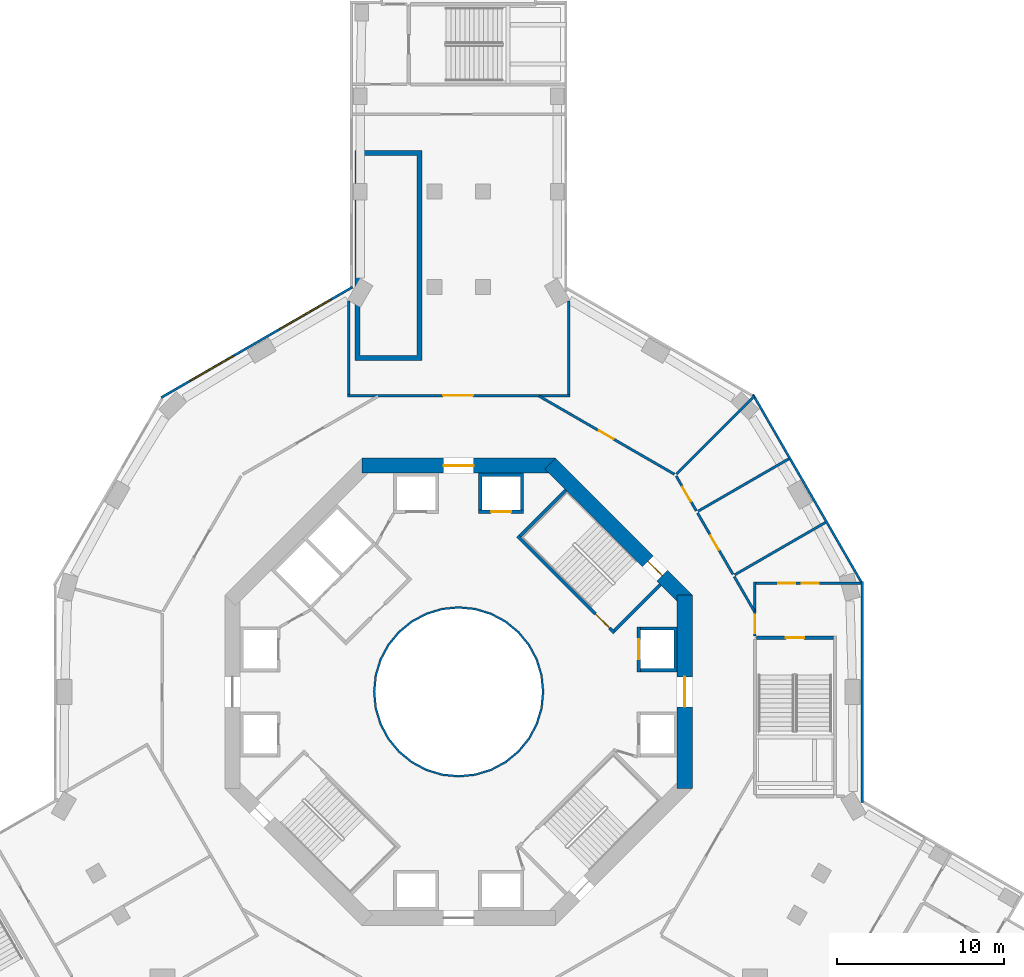
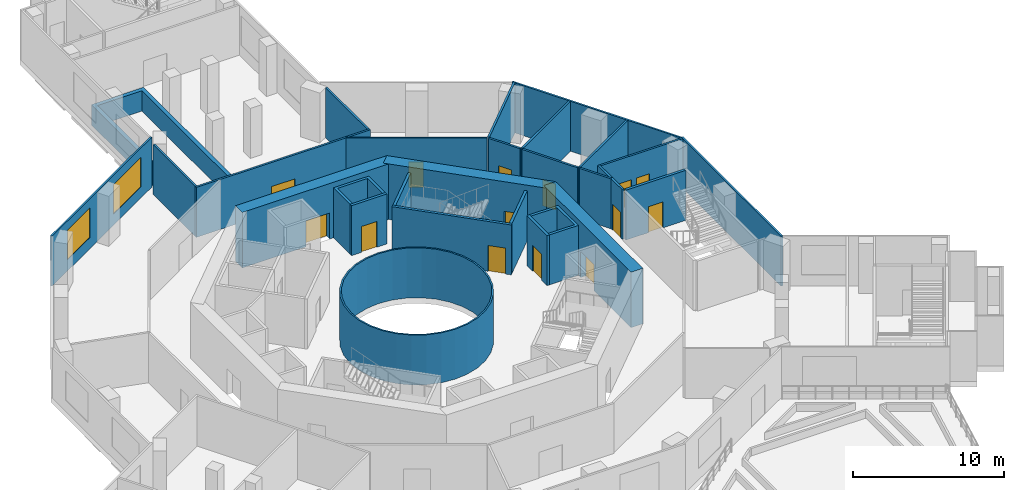
# One storey, part 6 of 21: 28 walls, 14 doors, 2 windows, 16 openings.
"""IFC4 building model written with IfcOpenShell, lengths in metres."""

import ifcopenshell
import ifcopenshell.guid

model = None  # the IFC model being written
_history = None  # IfcOwnerHistory: only IFC2X3 demands one
_inside = {}  # id of a spatial element -> (the spatial element, [elements in it])
_under = {}  # id of a project, library or spatial element -> (it, [spatial elements below it])
_declared = {}  # id of a project -> (the project, [libraries it declares])
_typed = {}  # id of a type object -> (the type object, [elements of that type])
_made_of = {}  # id of a material, layer set ... -> (it, [elements and type objects made of it])


def new_model(schema):
    """Start an empty IFC model of exactly this schema.

    Asked for "IFC4X3", IfcOpenShell would pick the latest addendum, in which some entities
    have other attributes; the version numbers below select the first issue.
    IFC2X3 requires an IfcOwnerHistory on every rooted entity: one is made here for all.
    """
    global model, _history
    if schema == "IFC4X3":
        model = ifcopenshell.file(schema_version=(4, 3, 0, 0))
    else:
        model = ifcopenshell.file(schema=schema)
    _inside.clear()
    _under.clear()
    _declared.clear()
    _typed.clear()
    _made_of.clear()
    _history = None
    if model.schema == "IFC2X3":
        org = make("IfcOrganization", Name="unknown")
        user = make(
            "IfcPersonAndOrganization",
            ThePerson=make("IfcPerson", FamilyName="unknown"),
            TheOrganization=org,
        )
        app = make(
            "IfcApplication",
            ApplicationDeveloper=org,
            Version="unknown",
            ApplicationFullName="unknown",
            ApplicationIdentifier="unknown",
        )
        _history = make(
            "IfcOwnerHistory",
            OwningUser=user,
            OwningApplication=app,
            ChangeAction="ADDED",
            CreationDate=0,
        )
    return model


def make(cls, **values):
    """One entity of the class cls with the attributes given. An attribute that is None is left unset."""
    return model.create_entity(
        cls, **{name: value for name, value in values.items() if value is not None}
    )


def rooted(cls, **values):
    """An entity with a GlobalId (a new one), such as an element, a storey or a relation."""
    return make(cls, GlobalId=ifcopenshell.guid.new(), OwnerHistory=_history, **values)


def si_unit(unit_type, name, prefix=None):
    """IfcSIUnit, for example si_unit("LENGTHUNIT", "METRE", prefix="MILLI")."""
    return make("IfcSIUnit", UnitType=unit_type, Prefix=prefix, Name=name)


def assignment(units):
    """IfcUnitAssignment: the units of a project."""
    return None if units is None else make("IfcUnitAssignment", Units=units)


def point(xyz):
    """IfcCartesianPoint."""
    return None if xyz is None else make("IfcCartesianPoint", Coordinates=xyz)


def direction(xyz):
    """IfcDirection."""
    return None if xyz is None else make("IfcDirection", DirectionRatios=xyz)


def frame(location, z_axis=None, x_axis=None):
    """IfcAxis2Placement3D, a coordinate frame: its origin and axes. An axis left out is left unset."""
    return make(
        "IfcAxis2Placement3D",
        Location=point(location),
        Axis=direction(z_axis),
        RefDirection=direction(x_axis),
    )


def frame_2d(location, x_axis=None):
    """IfcAxis2Placement2D, a coordinate frame in the plane: its origin and x axis."""
    return make(
        "IfcAxis2Placement2D", Location=point(location), RefDirection=direction(x_axis)
    )


def origin():
    """The frame at (0, 0, 0) with its axes left unset."""
    return frame((0.0, 0.0, 0.0))


def place(relative_to, where):
    """IfcLocalPlacement: puts the frame where relative to a parent placement (None: the world)."""
    return make(
        "IfcLocalPlacement", PlacementRelTo=relative_to, RelativePlacement=where
    )


def context(
    kind, dimensions, precision=None, world=None, true_north=None, identifier=None
):
    """IfcGeometricRepresentationContext, for example the 3D "Model" context."""
    return make(
        "IfcGeometricRepresentationContext",
        ContextIdentifier=identifier,
        ContextType=kind,
        CoordinateSpaceDimension=dimensions,
        Precision=precision,
        WorldCoordinateSystem=world,
        TrueNorth=true_north,
    )


def subcontext(parent, identifier, kind, view, scale=None):
    """IfcGeometricRepresentationSubContext, for example "Body" below "Model"."""
    return make(
        "IfcGeometricRepresentationSubContext",
        ContextIdentifier=identifier,
        ContextType=kind,
        ParentContext=parent,
        TargetScale=scale,
        TargetView=view,
    )


def project(units=None, contexts=None):
    """IfcProject with its units and contexts."""
    return rooted(
        "IfcProject",
        Name="project",
        RepresentationContexts=contexts,
        UnitsInContext=assignment(units),
    )


def spatial(cls, under=None, at=None, **own):
    """A site, building, storey or space (cls), placed at a placement, below another one or the project."""
    s = rooted(cls, ObjectPlacement=at, **own)
    if under is not None:
        _under.setdefault(under.id(), (under, []))[1].append(s)
    return s


def polyline(points):
    """IfcPolyline through the points."""
    return make("IfcPolyline", Points=[point(p) for p in points])


def profile(cls, at=None, kind="AREA", **sizes):
    """A parametric profile (cls). Its sizes go by their IFC names, for example OverallWidth=200.0."""
    return make(cls, ProfileType=kind, Position=at, **sizes)


def rectangle(**sizes):
    """IfcRectangleProfileDef."""
    return profile("IfcRectangleProfileDef", **sizes)


def outline(outer, holes=None, kind="AREA"):
    """IfcArbitraryClosedProfileDef: a profile drawn as a closed curve; with holes, ...WithVoids."""
    if holes is None:
        return make("IfcArbitraryClosedProfileDef", ProfileType=kind, OuterCurve=outer)
    return make(
        "IfcArbitraryProfileDefWithVoids",
        ProfileType=kind,
        OuterCurve=outer,
        InnerCurves=holes,
    )


def extrude(swept, where, along, depth):
    """IfcExtrudedAreaSolid: the profile swept, set in the frame where, extruded along a direction by depth."""
    return make(
        "IfcExtrudedAreaSolid",
        SweptArea=swept,
        Position=where,
        ExtrudedDirection=direction(along),
        Depth=depth,
    )


def shape(context_of_items, identifier, shape_type, items):
    """IfcShapeRepresentation: the items that make up one representation, for example the "Body"."""
    return make(
        "IfcShapeRepresentation",
        ContextOfItems=context_of_items,
        RepresentationIdentifier=identifier,
        RepresentationType=shape_type,
        Items=items,
    )


def material(Name=None, Category=None):
    """IfcMaterial."""
    return make("IfcMaterial", Name=Name, Category=Category)


def layer(
    of_material, thickness, ventilated=None, Name=None, Category=None, Priority=None
):
    """IfcMaterialLayer: one layer of a wall or slab, of a material (None: an air gap)."""
    return make(
        "IfcMaterialLayer",
        Material=of_material,
        LayerThickness=thickness,
        IsVentilated=ventilated,
        Name=Name,
        Category=Category,
        Priority=Priority,
    )


def layer_set(layers, Name=None):
    """IfcMaterialLayerSet."""
    return make("IfcMaterialLayerSet", MaterialLayers=layers, LayerSetName=Name)


def made_of(thing, what):
    """Note that an element or type object is made of a material, layer set ...; save() writes the relation."""
    if what is not None:
        _made_of.setdefault(what.id(), (what, []))[1].append(thing)
    return thing


def type_object(cls, material=None, **own):
    """A type object (cls), such as IfcWallType, which elements share."""
    return made_of(rooted(cls, **own), material)


def element(
    cls,
    number,
    at=None,
    inside=None,
    cuts=None,
    type_object=None,
    material=None,
    context=None,
    identifier="Body",
    shape_type=None,
    held_by="IfcProductDefinitionShape",
    body=None,
    shapes=None,
    **own,
):
    """One element of the class cls, such as IfcWall. Its Tag is "e" and its number.

    at: its placement. inside: the storey or other place that contains it. cuts: it is an
    opening in that element (IfcRelVoidsElement). A single representation is given by context,
    identifier, shape_type and body (its items); several are given by shapes. held_by: the class
    of the entity that holds the representations. save() writes the other relations.
    """
    e = rooted(cls, Tag="e%d" % number, ObjectPlacement=at, **own)
    if body is not None:
        shapes = [shape(context, identifier, shape_type, body)]
    if shapes is not None:
        e.Representation = make(held_by, Representations=shapes)
    if inside is not None:
        _inside.setdefault(inside.id(), (inside, []))[1].append(e)
    if cuts is not None:
        rooted(
            "IfcRelVoidsElement", RelatingBuildingElement=cuts, RelatedOpeningElement=e
        )
    if type_object is not None:
        _typed.setdefault(type_object.id(), (type_object, []))[1].append(e)
    return made_of(e, material)


def fill(opening, filler):
    """IfcRelFillsElement: the door or window that sits in an opening."""
    return rooted(
        "IfcRelFillsElement",
        RelatingOpeningElement=opening,
        RelatedBuildingElement=filler,
    )


def aggregate(whole, parts):
    """IfcRelAggregates: a whole, such as a stair, and the parts it consists of."""
    return rooted("IfcRelAggregates", RelatingObject=whole, RelatedObjects=parts)


def save(model, path):
    """Write the relations noted so far, then the file.

    IfcRelAggregates (storeys below a building ...), IfcRelContainedInSpatialStructure (elements
    in a storey), IfcRelDefinesByType, IfcRelAssociatesMaterial and IfcRelDeclares: one each for
    every whole, place, type object, material and project.
    """
    for whole, parts in _under.values():
        aggregate(whole, parts)
    for where, things in _inside.values():
        rooted(
            "IfcRelContainedInSpatialStructure",
            RelatedElements=things,
            RelatingStructure=where,
        )
    for kind, things in _typed.values():
        rooted("IfcRelDefinesByType", RelatedObjects=things, RelatingType=kind)
    for what, things in _made_of.values():
        rooted("IfcRelAssociatesMaterial", RelatedObjects=things, RelatingMaterial=what)
    for by, libraries in _declared.values():
        rooted("IfcRelDeclares", RelatingContext=by, RelatedDefinitions=libraries)
    model.write(path)


model = new_model("IFC4")

# Units and contexts
model_context = context("Model", 3, precision=1e-05, world=origin(), true_north=direction((0.0, 1.0)))
body_context = subcontext(model_context, "Body", "Model", "MODEL_VIEW")
ifc_project = project(units=[si_unit("LENGTHUNIT", "METRE"), si_unit("AREAUNIT", "SQUARE_METRE"), si_unit("VOLUMEUNIT", "CUBIC_METRE"), si_unit("PLANEANGLEUNIT", "RADIAN"), si_unit("MASSUNIT", "GRAM", prefix="KILO")], contexts=[model_context])

# Site, building, storey
site_placement = place(None, origin())
site = spatial("IfcSite", under=ifc_project, at=site_placement, CompositionType="ELEMENT")
building_placement = place(site_placement, origin())
building = spatial("IfcBuilding", under=site, at=building_placement, Name="Verdalira Terraces Hotel", CompositionType="ELEMENT")
storey_placement = place(building_placement, frame((0.0, 0.0, 19.0)))
storey = spatial("IfcBuildingStorey", under=building, at=storey_placement, Name="L03", CompositionType="ELEMENT", Elevation=19.0)

# Walls
ifc_material_1 = material(Name="Fire-resisting glass EI 180", Category="glass")
ifc_layer_1 = layer(ifc_material_1, 0.1201171875)
ifc_layer_set_1 = layer_set([ifc_layer_1], Name="Atrium fire screen 120 mm")
wall_type_1 = type_object("IfcWallType", Name="Atrium fire screen 120 mm", PredefinedType="SOLIDWALL", material=ifc_layer_set_1)
wall_1_placement = place(storey_placement, origin())
element("IfcWall", 1, at=wall_1_placement, inside=storey, type_object=wall_type_1, Name="Atrium fire screen", PredefinedType="SOLIDWALL", context=body_context, shape_type="SweptSolid", body=[
    extrude(outline(polyline([(5.021484, -0.998779), (4.730225, -1.959229), (4.25708, -2.844482), (3.620361, -3.620361), (2.844482, -4.25708), (1.959229, -4.730225), (0.998779, -5.021484), (0.0, -5.120117), (-0.998779, -5.021484), (-1.959229, -4.730225), (-2.844482, -4.25708), (-3.620361, -3.620361), (-4.25708, -2.844482), (-4.730225, -1.959229), (-5.021484, -0.998779), (-5.120117, 0.0), (-5.021484, 0.998779), (-4.730225, 1.959229), (-4.25708, 2.844482), (-3.620361, 3.620361), (-2.844482, 4.25708), (-1.959229, 4.730225), (-0.998779, 5.021484), (0.0, 5.120117), (0.998779, 5.021484), (1.959229, 4.730225), (2.844482, 4.25708), (3.620361, 3.620361), (4.25708, 2.844482), (4.730225, 1.959229), (5.021484, 0.998779), (5.120117, 0.0), (5.021484, -0.998779)]), holes=[polyline([(4.903809, 0.975586), (4.619385, 1.91333), (4.157227, 2.777832), (3.5354, 3.5354), (2.777832, 4.157227), (1.91333, 4.619385), (0.975586, 4.903809), (0.0, 5.0), (-0.975586, 4.903809), (-1.91333, 4.619385), (-2.777832, 4.157227), (-3.5354, 3.5354), (-4.157227, 2.777832), (-4.619385, 1.91333), (-4.903809, 0.975586), (-5.0, 0.0), (-4.903809, -0.975586), (-4.619385, -1.91333), (-4.157227, -2.777832), (-3.5354, -3.5354), (-2.777832, -4.157227), (-1.91333, -4.619385), (-0.975586, -4.903809), (0.0, -5.0), (0.975586, -4.903809), (1.91333, -4.619385), (2.777832, -4.157227), (3.5354, -3.5354), (4.157227, -2.777832), (4.619385, -1.91333), (4.903809, -0.975586), (5.0, 0.0), (4.903809, 0.975586)])]), origin(), (0.0, 0.0, 1.0), 4.050049),
])
ifc_material_2 = material(Name="Concrete C50", Category="concrete")
ifc_layer_2 = layer(ifc_material_2, 0.199951171875)
ifc_layer_set_2 = layer_set([ifc_layer_2], Name="Core RC wall 200 C50")
wall_type_2 = type_object("IfcWallType", Name="Core RC wall 200 C50", PredefinedType="SOLIDWALL", material=ifc_layer_set_2)
wall_2_placement = place(storey_placement, origin())
element("IfcWall", 2, at=wall_2_placement, inside=storey, type_object=wall_type_2, Name="L03 shaft wall E2", PredefinedType="SOLIDWALL", context=body_context, shape_type="SweptSolid", body=[
    extrude(outline(polyline([(13.100098, 3.899902), (13.100098, 1.199951), (10.899902, 1.199951), (10.899902, 1.399902), (12.899902, 1.399902), (12.899902, 3.699951), (10.899902, 3.699951), (10.899902, 3.899902), (13.100098, 3.899902)])), origin(), (0.0, 0.0, 1.0), 4.050049),
])

# Wall, opening, door
wall_3_placement = place(storey_placement, frame((10.800049, 1.199951, 0.0), z_axis=(0.0, 0.0, 1.0), x_axis=(0.0, 1.0, 0.0)))
wall_3 = element("IfcWall", 3, at=wall_3_placement, inside=storey, type_object=wall_type_2, Name="L03 shaft front wall E2", PredefinedType="SOLIDWALL", context=body_context, shape_type="SweptSolid", body=[
    extrude(rectangle(XDim=2.699951, YDim=0.199951, at=frame_2d((1.350098, 0.0))), origin(), (0.0, 0.0, 1.0), 4.050049),
])
opening_1_placement = place(wall_3_placement, frame((0.75, 0.0, 0.0)))
opening_1 = element("IfcOpeningElement", 4, at=opening_1_placement, cuts=wall_3, Name="Opening LD-L03-802", PredefinedType="OPENING", context=body_context, shape_type="SweptSolid", body=[
    extrude(rectangle(XDim=1.199951, YDim=2.100098, at=frame_2d((0.600098, 1.050049))), frame((0.0, 0.109863, 0.0), z_axis=(0.0, -1.0, 0.0), x_axis=(1.0, 0.0, 0.0)), (0.0, 0.0, 1.0), 0.219971),
])
ifc_material_3 = material(Name="Stainless steel", Category="steel")
door_type_1 = type_object("IfcDoorType", Name="Landing door 1200 x 2100", OperationType="NOTDEFINED", PredefinedType="DOOR", material=ifc_material_3)
door_1_placement = place(opening_1_placement, origin())
door_1 = element("IfcDoor", 5, at=door_1_placement, inside=storey, type_object=door_type_1, Name="Lift landing door LR2 L03", OperationType="DOUBLE_DOOR_SLIDING", OverallHeight=2.10009765625, OverallWidth=1.199951171875, PredefinedType="DOOR", context=body_context, shape_type="SweptSolid", body=[
    extrude(rectangle(XDim=1.199951, YDim=2.100098, at=frame_2d((0.600098, 1.050049))), frame((0.0, 0.024902, 0.0), z_axis=(0.0, -1.0, 0.0), x_axis=(1.0, 0.0, 0.0)), (0.0, 0.0, 1.0), 0.050049),
])
fill(opening_1, door_1)

# Wall
wall_4_placement = place(storey_placement, origin())
element("IfcWall", 6, at=wall_4_placement, inside=storey, type_object=wall_type_2, Name="L03 shaft wall N1", PredefinedType="SOLIDWALL", context=body_context, shape_type="SweptSolid", body=[
    extrude(outline(polyline([(3.899902, 13.100098), (3.899902, 10.899902), (3.699951, 10.899902), (3.699951, 12.899902), (1.399902, 12.899902), (1.399902, 10.899902), (1.199951, 10.899902), (1.199951, 13.100098), (3.899902, 13.100098)])), origin(), (0.0, 0.0, 1.0), 4.050049),
])

# Wall, opening, door
wall_5_placement = place(storey_placement, frame((1.199951, 10.800049, 0.0), z_axis=(0.0, 0.0, 1.0), x_axis=(1.0, 0.0, 0.0)))
wall_5 = element("IfcWall", 7, at=wall_5_placement, inside=storey, type_object=wall_type_2, Name="L03 shaft front wall N1", PredefinedType="SOLIDWALL", context=body_context, shape_type="SweptSolid", body=[
    extrude(rectangle(XDim=2.699951, YDim=0.199951, at=frame_2d((1.350098, 0.0))), origin(), (0.0, 0.0, 1.0), 4.050049),
])
opening_2_placement = place(wall_5_placement, frame((0.75, 0.0, 0.0)))
opening_2 = element("IfcOpeningElement", 8, at=opening_2_placement, cuts=wall_5, Name="Opening LD-L03-803", PredefinedType="OPENING", context=body_context, shape_type="SweptSolid", body=[
    extrude(rectangle(XDim=1.199951, YDim=2.100098, at=frame_2d((0.600098, 1.050049))), frame((0.0, 0.109863, 0.0), z_axis=(0.0, -1.0, 0.0), x_axis=(1.0, 0.0, 0.0)), (0.0, 0.0, 1.0), 0.219971),
])
door_2_placement = place(opening_2_placement, origin())
door_2 = element("IfcDoor", 9, at=door_2_placement, inside=storey, type_object=door_type_1, Name="Lift landing door LR3 L03", OperationType="DOUBLE_DOOR_SLIDING", OverallHeight=2.10009765625, OverallWidth=1.199951171875, PredefinedType="DOOR", context=body_context, shape_type="SweptSolid", body=[
    extrude(rectangle(XDim=1.199951, YDim=2.100098, at=frame_2d((0.600098, 1.050049))), frame((0.0, 0.024902, 0.0), z_axis=(0.0, -1.0, 0.0), x_axis=(1.0, 0.0, 0.0)), (0.0, 0.0, 1.0), 0.050049),
])
fill(opening_2, door_2)

wall_6_placement = place(storey_placement, frame((3.5354, 9.33374, 0.0), z_axis=(0.0, 0.0, 1.0), x_axis=(0.707106781, -0.707106781, 0.0)))
wall_6 = element("IfcWall", 10, at=wall_6_placement, inside=storey, type_object=wall_type_2, Name="L03 stair ST1 front wall", PredefinedType="SOLIDWALL", context=body_context, shape_type="SweptSolid", body=[
    extrude(rectangle(XDim=8.200195, YDim=0.199951, at=frame_2d((4.100098, 0.0))), origin(), (0.0, 0.0, 1.0), 4.050049),
])
opening_3_placement = place(wall_6_placement, frame((6.600098, 0.0, 0.0)))
opening_3 = element("IfcOpeningElement", 11, at=opening_3_placement, cuts=wall_6, Name="Opening L03-809", PredefinedType="OPENING", context=body_context, shape_type="SweptSolid", body=[
    extrude(rectangle(XDim=1.199951, YDim=2.100098, at=frame_2d((0.600098, 1.050049))), frame((0.0, 0.109863, 0.0), z_axis=(0.0, -1.0, 0.0), x_axis=(1.0, 0.0, 0.0)), (0.0, 0.0, 1.0), 0.219971),
])
ifc_material_4 = material(Name="Steel fire door", Category="steel")
door_type_2 = type_object("IfcDoorType", Name="Stair door 1200 x 2100", OperationType="NOTDEFINED", PredefinedType="DOOR", material=ifc_material_4)
door_3_placement = place(opening_3_placement, origin())
door_3 = element("IfcDoor", 12, at=door_3_placement, inside=storey, type_object=door_type_2, Name="Stair door ST1 L03", OperationType="SINGLE_SWING_RIGHT", OverallHeight=2.10009765625, OverallWidth=1.199951171875, PredefinedType="DOOR", context=body_context, shape_type="SweptSolid", body=[
    extrude(rectangle(XDim=1.199951, YDim=2.100098, at=frame_2d((0.600098, 1.050049))), frame((0.0, 0.024902, 0.0), z_axis=(0.0, -1.0, 0.0), x_axis=(1.0, 0.0, 0.0)), (0.0, 0.0, 1.0), 0.050049),
])
fill(opening_3, door_3)

# Walls
for number, where, z_axis, x_axis, name in (
    (13, (9.33374, 3.677002, 0.0), (0.0, 0.0, 1.0), (0.707106781, 0.707106781, 0.0), "L03 stair ST1 end wall 1"),
    (14, (3.677002, 9.33374, 0.0), (0.0, 0.0, 1.0), (0.707106781, 0.707106781, 0.0), "L03 stair ST1 end wall 2"),
):
    element("IfcWall", number, at=place(storey_placement, frame(where, z_axis=z_axis, x_axis=x_axis)), inside=storey, type_object=wall_type_2, Name=name, PredefinedType="SOLIDWALL", context=body_context, shape_type="SweptSolid", body=[
        extrude(rectangle(XDim=3.900146, YDim=0.199951, at=frame_2d((1.950195, 0.0))), origin(), (0.0, 0.0, 1.0), 4.050049),
    ])

# Wall, opening, door
ifc_material_5 = material(Name="Concrete C70", Category="concrete")
ifc_layer_3 = layer(ifc_material_5, 0.89990234375)
ifc_layer_set_3 = layer_set([ifc_layer_3], Name="Core wall 900 C70")
wall_type_3 = type_object("IfcWallType", Name="Core wall 900 C70", PredefinedType="SHEAR", material=ifc_layer_set_3)
wall_7_placement = place(storey_placement, frame((13.550049, -5.799072, 0.0), z_axis=(0.0, 0.0, 1.0), x_axis=(0.0, 1.0, 0.0)))
wall_7 = element("IfcWall", 15, at=wall_7_placement, inside=storey, type_object=wall_type_3, Name="Core wall CW-L03-1", PredefinedType="SHEAR", context=body_context, shape_type="SweptSolid", body=[
    extrude(rectangle(XDim=11.598145, YDim=0.899902, at=frame_2d((5.799072, 0.0))), origin(), (0.0, 0.0, 1.0), 4.5),
])
opening_4_placement = place(wall_7_placement, frame((4.898926, 0.0, 0.0)))
opening_4 = element("IfcOpeningElement", 16, at=opening_4_placement, cuts=wall_7, Name="Opening L03-812", PredefinedType="OPENING", context=body_context, shape_type="SweptSolid", body=[
    extrude(rectangle(XDim=1.800049, YDim=2.100098, at=frame_2d((0.899902, 1.050049))), frame((0.0, 0.459961, 0.0), z_axis=(0.0, -1.0, 0.0), x_axis=(1.0, 0.0, 0.0)), (0.0, 0.0, 1.0), 0.919922),
])
ifc_material_6 = material(Name="Steel fire door", Category="steel")
door_type_3 = type_object("IfcDoorType", Name="Core entry door pair 1800 x 2100", OperationType="NOTDEFINED", PredefinedType="DOOR", material=ifc_material_6)
door_4_placement = place(opening_4_placement, origin())
door_4 = element("IfcDoor", 17, at=door_4_placement, inside=storey, type_object=door_type_3, Name="Core entry door L03 0", OperationType="DOUBLE_DOOR_SINGLE_SWING", OverallHeight=2.10009765625, OverallWidth=1.800048828125, PredefinedType="DOOR", context=body_context, shape_type="SweptSolid", body=[
    extrude(rectangle(XDim=1.800049, YDim=2.100098, at=frame_2d((0.899902, 1.050049))), frame((0.0, 0.024902, 0.0), z_axis=(0.0, -1.0, 0.0), x_axis=(1.0, 0.0, 0.0)), (0.0, 0.0, 1.0), 0.050049),
])
fill(opening_4, door_4)

wall_8_placement = place(storey_placement, frame((13.681885, 5.480713, 0.0), z_axis=(0.0, 0.0, 1.0), x_axis=(-0.707106781, 0.707106781, 0.0)))
wall_8 = element("IfcWall", 18, at=wall_8_placement, inside=storey, type_object=wall_type_3, Name="Core wall CW-L03-2", PredefinedType="SHEAR", context=body_context, shape_type="SweptSolid", body=[
    extrude(rectangle(XDim=11.598145, YDim=0.899902, at=frame_2d((5.799072, 0.0))), origin(), (0.0, 0.0, 1.0), 4.5),
])
opening_5_placement = place(wall_8_placement, frame((2.099121, 0.0, 0.0)))
opening_5 = element("IfcOpeningElement", 19, at=opening_5_placement, cuts=wall_8, Name="Opening L03-816", PredefinedType="OPENING", context=body_context, shape_type="SweptSolid", body=[
    extrude(rectangle(XDim=1.199951, YDim=2.100098, at=frame_2d((0.600098, 1.050049))), frame((0.0, 0.459961, 0.0), z_axis=(0.0, -1.0, 0.0), x_axis=(1.0, 0.0, 0.0)), (0.0, 0.0, 1.0), 0.919922),
])
door_5_placement = place(opening_5_placement, origin())
door_5 = element("IfcDoor", 20, at=door_5_placement, inside=storey, type_object=door_type_2, Name="Stair exit door ST1 L03", OperationType="SINGLE_SWING_LEFT", OverallHeight=2.10009765625, OverallWidth=1.199951171875, PredefinedType="DOOR", context=body_context, shape_type="SweptSolid", body=[
    extrude(rectangle(XDim=1.199951, YDim=2.100098, at=frame_2d((0.600098, 1.050049))), frame((0.0, 0.024902, 0.0), z_axis=(0.0, -1.0, 0.0), x_axis=(1.0, 0.0, 0.0)), (0.0, 0.0, 1.0), 0.050049),
])
fill(opening_5, door_5)

wall_9_placement = place(storey_placement, frame((5.799072, 13.550049, 0.0), z_axis=(0.0, 0.0, 1.0), x_axis=(-1.0, 0.0, 0.0)))
wall_9 = element("IfcWall", 21, at=wall_9_placement, inside=storey, type_object=wall_type_3, Name="Core wall CW-L03-3", PredefinedType="SHEAR", context=body_context, shape_type="SweptSolid", body=[
    extrude(rectangle(XDim=11.598145, YDim=0.899902, at=frame_2d((5.799072, 0.0))), origin(), (0.0, 0.0, 1.0), 4.5),
])
opening_6_placement = place(wall_9_placement, frame((4.898926, 0.0, 0.0)))
opening_6 = element("IfcOpeningElement", 22, at=opening_6_placement, cuts=wall_9, Name="Opening L03-813", PredefinedType="OPENING", context=body_context, shape_type="SweptSolid", body=[
    extrude(rectangle(XDim=1.800049, YDim=2.100098, at=frame_2d((0.899902, 1.050049))), frame((0.0, 0.459961, 0.0), z_axis=(0.0, -1.0, 0.0), x_axis=(1.0, 0.0, 0.0)), (0.0, 0.0, 1.0), 0.919922),
])
door_6_placement = place(opening_6_placement, origin())
door_6 = element("IfcDoor", 23, at=door_6_placement, inside=storey, type_object=door_type_3, Name="Core entry door L03 2", OperationType="DOUBLE_DOOR_SINGLE_SWING", OverallHeight=2.10009765625, OverallWidth=1.800048828125, PredefinedType="DOOR", context=body_context, shape_type="SweptSolid", body=[
    extrude(rectangle(XDim=1.800049, YDim=2.100098, at=frame_2d((0.899902, 1.050049))), frame((0.0, 0.024902, 0.0), z_axis=(0.0, -1.0, 0.0), x_axis=(1.0, 0.0, 0.0)), (0.0, 0.0, 1.0), 0.050049),
])
fill(opening_6, door_6)

ifc_material_7 = material(Name="Gypsum board partition on steel stud", Category="steel")
ifc_layer_4 = layer(ifc_material_7, 0.14990234375)
ifc_layer_set_4 = layer_set([ifc_layer_4], Name="Fire-rated partition 150 mm")
wall_type_4 = type_object("IfcWallType", Name="Fire-rated partition 150 mm", PredefinedType="PARTITIONING", material=ifc_layer_set_4)
wall_10_placement = place(storey_placement, frame((6.675049, 17.758301, 0.0), z_axis=(0.0, 0.0, 1.0), x_axis=(-1.0, 0.0, 0.0)))
wall_10 = element("IfcWall", 24, at=wall_10_placement, inside=storey, type_object=wall_type_4, Name="Partition", PredefinedType="PARTITIONING", context=body_context, shape_type="SweptSolid", body=[
    extrude(rectangle(XDim=13.350098, YDim=0.149902, at=frame_2d((6.675049, 0.0))), origin(), (0.0, 0.0, 1.0), 4.050049),
])
opening_7_placement = place(wall_10_placement, frame((5.800049, 0.0, 0.0)))
opening_7 = element("IfcOpeningElement", 25, at=opening_7_placement, cuts=wall_10, Name="Opening L03-D09", PredefinedType="OPENING", context=body_context, shape_type="SweptSolid", body=[
    extrude(rectangle(XDim=1.800049, YDim=2.100098, at=frame_2d((0.899902, 1.050049))), frame((0.0, 0.084961, 0.0), z_axis=(0.0, -1.0, 0.0), x_axis=(1.0, 0.0, 0.0)), (0.0, 0.0, 1.0), 0.169922),
])
ifc_material_8 = material(Name="Steel fire door", Category="steel")
door_type_4 = type_object("IfcDoorType", Name="Fire door pair 1800 x 2100", OperationType="DOUBLE_DOOR_SINGLE_SWING", PredefinedType="DOOR", material=ifc_material_8)
door_7_placement = place(opening_7_placement, origin())
door_7 = element("IfcDoor", 26, at=door_7_placement, inside=storey, type_object=door_type_4, Name="Ring corridor door", OperationType="DOUBLE_DOOR_SINGLE_SWING", OverallHeight=2.10009765625, OverallWidth=1.800048828125, PredefinedType="DOOR", context=body_context, shape_type="SweptSolid", body=[
    extrude(rectangle(XDim=1.800049, YDim=2.100098, at=frame_2d((0.899902, 1.050049))), frame((0.0, 0.024902, 0.0), z_axis=(0.0, -1.0, 0.0), x_axis=(1.0, 0.0, 0.0)), (0.0, 0.0, 1.0), 0.050049),
])
fill(opening_7, door_7)

# Wall
wall_11_placement = place(storey_placement, frame((-6.600098, 23.415283, 0.0), z_axis=(0.0, 0.0, 1.0), x_axis=(0.0, -1.0, 0.0)))
element("IfcWall", 27, at=wall_11_placement, inside=storey, type_object=wall_type_4, Name="Partition", PredefinedType="PARTITIONING", context=body_context, shape_type="SweptSolid", body=[
    extrude(rectangle(XDim=5.582031, YDim=0.149902, at=frame_2d((2.791016, 0.0))), origin(), (0.0, 0.0, 1.0), 4.050049),
])

# Wall, opening, door
wall_12_placement = place(storey_placement, frame((4.823242, 17.720703, 0.0), z_axis=(0.0, 0.0, 1.0), x_axis=(0.866037142, -0.499979668, 0.0)))
wall_12 = element("IfcWall", 28, at=wall_12_placement, inside=storey, type_object=wall_type_4, Name="Partition", PredefinedType="PARTITIONING", context=body_context, shape_type="SweptSolid", body=[
    extrude(rectangle(XDim=9.366699, YDim=0.149902, at=frame_2d((4.68335, 0.0))), origin(), (0.0, 0.0, 1.0), 4.050049),
])
opening_8_placement = place(wall_12_placement, frame((4.149902, 0.0, 0.0)))
opening_8 = element("IfcOpeningElement", 29, at=opening_8_placement, cuts=wall_12, Name="Opening L03-D16", PredefinedType="OPENING", context=body_context, shape_type="SweptSolid", body=[
    extrude(rectangle(XDim=1.0, YDim=2.100098, at=frame_2d((0.5, 1.050049))), frame((0.0, 0.084961, 0.0), z_axis=(0.0, -1.0, 0.0), x_axis=(1.0, 0.0, 0.0)), (0.0, 0.0, 1.0), 0.169922),
])
ifc_material_9 = material(Name="Steel fire door", Category="steel")
door_type_5 = type_object("IfcDoorType", Name="Fire door 1000 x 2100", OperationType="SINGLE_SWING_LEFT", PredefinedType="DOOR", material=ifc_material_9)
door_8_placement = place(opening_8_placement, origin())
door_8 = element("IfcDoor", 30, at=door_8_placement, inside=storey, type_object=door_type_5, Name="Towel store door", OperationType="SINGLE_SWING_LEFT", OverallHeight=2.10009765625, OverallWidth=1.0, PredefinedType="DOOR", context=body_context, shape_type="SweptSolid", body=[
    extrude(rectangle(XDim=1.0, YDim=2.100098, at=frame_2d((0.5, 1.050049))), frame((0.0, 0.024902, 0.0), z_axis=(0.0, -1.0, 0.0), x_axis=(1.0, 0.0, 0.0)), (0.0, 0.0, 1.0), 0.050049),
])
fill(opening_8, door_8)

# Wall
wall_13_placement = place(storey_placement, frame((6.600098, 17.833252, 0.0), z_axis=(0.0, 0.0, 1.0), x_axis=(0.0, 1.0, 0.0)))
element("IfcWall", 31, at=wall_13_placement, inside=storey, type_object=wall_type_4, Name="Partition", PredefinedType="PARTITIONING", context=body_context, shape_type="SweptSolid", body=[
    extrude(rectangle(XDim=5.582031, YDim=0.149902, at=frame_2d((2.791016, 0.0))), origin(), (0.0, 0.0, 1.0), 4.050049),
])

# Wall, opening, door
wall_14_placement = place(storey_placement, frame((13.037598, 12.935059, 0.0), z_axis=(0.0, 0.0, 1.0), x_axis=(0.499933044, -0.866064057, 0.0)))
wall_14 = element("IfcWall", 32, at=wall_14_placement, inside=storey, type_object=wall_type_4, Name="Partition", PredefinedType="PARTITIONING", context=body_context, shape_type="SweptSolid", body=[
    extrude(rectangle(XDim=2.408447, YDim=0.149902, at=frame_2d((1.204102, 0.0))), origin(), (0.0, 0.0, 1.0), 4.050049),
])
opening_9_placement = place(wall_14_placement, frame((0.75, 0.0, 0.0)))
opening_9 = element("IfcOpeningElement", 33, at=opening_9_placement, cuts=wall_14, Name="Opening L03-D17", PredefinedType="OPENING", context=body_context, shape_type="SweptSolid", body=[
    extrude(rectangle(XDim=1.0, YDim=2.100098, at=frame_2d((0.5, 1.050049))), frame((0.0, 0.084961, 0.0), z_axis=(0.0, -1.0, 0.0), x_axis=(1.0, 0.0, 0.0)), (0.0, 0.0, 1.0), 0.169922),
])
door_9_placement = place(opening_9_placement, origin())
door_9 = element("IfcDoor", 34, at=door_9_placement, inside=storey, type_object=door_type_5, Name="Accessible WC door", OperationType="SINGLE_SWING_RIGHT", OverallHeight=2.10009765625, OverallWidth=1.0, PredefinedType="DOOR", context=body_context, shape_type="SweptSolid", body=[
    extrude(rectangle(XDim=1.0, YDim=2.100098, at=frame_2d((0.5, 1.050049))), frame((0.0, 0.024902, 0.0), z_axis=(0.0, -1.0, 0.0), x_axis=(1.0, 0.0, 0.0)), (0.0, 0.0, 1.0), 0.050049),
])
fill(opening_9, door_9)

wall_15_placement = place(storey_placement, frame((14.31665, 10.719482, 0.0), z_axis=(0.0, 0.0, 1.0), x_axis=(0.500037366, -0.866003829, 0.0)))
wall_15 = element("IfcWall", 35, at=wall_15_placement, inside=storey, type_object=wall_type_4, Name="Partition", PredefinedType="PARTITIONING", context=body_context, shape_type="SweptSolid", body=[
    extrude(rectangle(XDim=4.250244, YDim=0.149902, at=frame_2d((2.125, 0.0))), origin(), (0.0, 0.0, 1.0), 4.050049),
])
opening_10_placement = place(wall_15_placement, frame((1.550049, 0.0, 0.0)))
opening_10 = element("IfcOpeningElement", 36, at=opening_10_placement, cuts=wall_15, Name="Opening L03-D18", PredefinedType="OPENING", context=body_context, shape_type="SweptSolid", body=[
    extrude(rectangle(XDim=1.0, YDim=2.100098, at=frame_2d((0.5, 1.050049))), frame((0.0, 0.084961, 0.0), z_axis=(0.0, -1.0, 0.0), x_axis=(1.0, 0.0, 0.0)), (0.0, 0.0, 1.0), 0.169922),
])
door_10_placement = place(opening_10_placement, origin())
door_10 = element("IfcDoor", 37, at=door_10_placement, inside=storey, type_object=door_type_5, Name="Men's WC door", OperationType="SINGLE_SWING_LEFT", OverallHeight=2.10009765625, OverallWidth=1.0, PredefinedType="DOOR", context=body_context, shape_type="SweptSolid", body=[
    extrude(rectangle(XDim=1.0, YDim=2.100098, at=frame_2d((0.5, 1.050049))), frame((0.0, 0.024902, 0.0), z_axis=(0.0, -1.0, 0.0), x_axis=(1.0, 0.0, 0.0)), (0.0, 0.0, 1.0), 0.050049),
])
fill(opening_10, door_10)

# Wall
wall_16_placement = place(storey_placement, frame((16.516602, 6.90918, 0.0), z_axis=(0.0, 0.0, 1.0), x_axis=(0.499933044, -0.866064057, 0.0)))
element("IfcWall", 38, at=wall_16_placement, inside=storey, type_object=wall_type_4, Name="Partition", PredefinedType="PARTITIONING", context=body_context, shape_type="SweptSolid", body=[
    extrude(rectangle(XDim=2.408447, YDim=0.149902, at=frame_2d((1.204102, 0.0))), origin(), (0.0, 0.0, 1.0), 4.050049),
])

# Wall, opening, door
wall_17_placement = place(storey_placement, frame((17.758301, 3.349854, 0.0), z_axis=(0.0, 0.0, 1.0), x_axis=(0.0, 1.0, 0.0)))
wall_17 = element("IfcWall", 39, at=wall_17_placement, inside=storey, type_object=wall_type_4, Name="Partition", PredefinedType="PARTITIONING", context=body_context, shape_type="SweptSolid", body=[
    extrude(rectangle(XDim=3.225098, YDim=0.149902, at=frame_2d((1.612549, 0.0))), origin(), (0.0, 0.0, 1.0), 4.050049),
])
opening_11_placement = place(wall_17_placement, frame((0.175293, 0.0, 0.0)))
opening_11 = element("IfcOpeningElement", 40, at=opening_11_placement, cuts=wall_17, Name="Opening L03-D20", PredefinedType="OPENING", context=body_context, shape_type="SweptSolid", body=[
    extrude(rectangle(XDim=1.100098, YDim=2.100098, at=frame_2d((0.550049, 1.050049))), frame((0.0, 0.084961, 0.0), z_axis=(0.0, -1.0, 0.0), x_axis=(1.0, 0.0, 0.0)), (0.0, 0.0, 1.0), 0.169922),
])
ifc_material_10 = material(Name="Steel fire door", Category="steel")
door_type_6 = type_object("IfcDoorType", Name="Stair door 1100 x 2100", OperationType="SINGLE_SWING_LEFT", PredefinedType="DOOR", material=ifc_material_10)
door_11_placement = place(opening_11_placement, origin())
door_11 = element("IfcDoor", 41, at=door_11_placement, inside=storey, type_object=door_type_6, Name="Stair door Ring corridor", OperationType="SINGLE_SWING_LEFT", OverallHeight=2.10009765625, OverallWidth=1.10009765625, PredefinedType="DOOR", context=body_context, shape_type="SweptSolid", body=[
    extrude(rectangle(XDim=1.100098, YDim=2.100098, at=frame_2d((0.550049, 1.050049))), frame((0.0, 0.024902, 0.0), z_axis=(0.0, -1.0, 0.0), x_axis=(1.0, 0.0, 0.0)), (0.0, 0.0, 1.0), 0.050049),
])
fill(opening_11, door_11)

# Walls
wall_18_placement = place(storey_placement, frame((17.699951, 17.699951, 0.0), z_axis=(0.0, 0.0, 1.0), x_axis=(-0.707106781, -0.707106781, 0.0)))
element("IfcWall", 42, at=wall_18_placement, inside=storey, type_object=wall_type_4, Name="Partition", PredefinedType="PARTITIONING", context=body_context, shape_type="SweptSolid", body=[
    extrude(rectangle(XDim=6.571777, YDim=0.149902, at=frame_2d((3.285889, 0.0))), origin(), (0.0, 0.0, 1.0), 4.050049),
])
wall_19_placement = place(storey_placement, frame((19.787109, 13.964355, 0.0), z_axis=(0.0, 0.0, 1.0), x_axis=(-0.866042631, -0.49997016, 0.0)))
element("IfcWall", 43, at=wall_19_placement, inside=storey, type_object=wall_type_4, Name="Partition", PredefinedType="PARTITIONING", context=body_context, shape_type="SweptSolid", body=[
    extrude(rectangle(XDim=6.285156, YDim=0.149902, at=frame_2d((3.142578, 0.0))), origin(), (0.0, 0.0, 1.0), 4.050049),
])
wall_20_placement = place(storey_placement, frame((21.987061, 10.153809, 0.0), z_axis=(0.0, 0.0, 1.0), x_axis=(-0.866032921, -0.49998698, 0.0)))
element("IfcWall", 44, at=wall_20_placement, inside=storey, type_object=wall_type_4, Name="Partition", PredefinedType="PARTITIONING", context=body_context, shape_type="SweptSolid", body=[
    extrude(rectangle(XDim=6.284912, YDim=0.149902, at=frame_2d((3.142578, 0.0))), origin(), (0.0, 0.0, 1.0), 4.050049),
])

# Wall, openings, doors
wall_21_placement = place(storey_placement, frame((24.118408, 6.5, 0.0), z_axis=(0.0, 0.0, 1.0), x_axis=(-1.0, 0.0, 0.0)))
wall_21 = element("IfcWall", 45, at=wall_21_placement, inside=storey, type_object=wall_type_4, Name="Partition", PredefinedType="PARTITIONING", context=body_context, shape_type="SweptSolid", body=[
    extrude(rectangle(XDim=6.285156, YDim=0.149902, at=frame_2d((3.142578, 0.0))), origin(), (0.0, 0.0, 1.0), 4.050049),
])
opening_12_placement = place(wall_21_placement, frame((2.550049, 0.0, 0.0)))
opening_12 = element("IfcOpeningElement", 46, at=opening_12_placement, cuts=wall_21, Name="Opening L03-D22", PredefinedType="OPENING", context=body_context, shape_type="SweptSolid", body=[
    extrude(rectangle(XDim=1.0, YDim=2.100098, at=frame_2d((0.5, 1.050049))), frame((0.0, 0.084961, 0.0), z_axis=(0.0, -1.0, 0.0), x_axis=(1.0, 0.0, 0.0)), (0.0, 0.0, 1.0), 0.169922),
])
opening_13_placement = place(wall_21_placement, frame((3.949951, 0.0, 0.0)))
opening_13 = element("IfcOpeningElement", 47, at=opening_13_placement, cuts=wall_21, Name="Opening L03-D23", PredefinedType="OPENING", context=body_context, shape_type="SweptSolid", body=[
    extrude(rectangle(XDim=1.0, YDim=2.100098, at=frame_2d((0.5, 1.050049))), frame((0.0, 0.084961, 0.0), z_axis=(0.0, -1.0, 0.0), x_axis=(1.0, 0.0, 0.0)), (0.0, 0.0, 1.0), 0.169922),
])
door_12_placement = place(opening_12_placement, origin())
door_12 = element("IfcDoor", 48, at=door_12_placement, inside=storey, type_object=door_type_5, Name="Stair door Women's WC", OperationType="SINGLE_SWING_LEFT", OverallHeight=2.10009765625, OverallWidth=1.0, PredefinedType="DOOR", context=body_context, shape_type="SweptSolid", body=[
    extrude(rectangle(XDim=1.0, YDim=2.100098, at=frame_2d((0.5, 1.050049))), frame((0.0, 0.024902, 0.0), z_axis=(0.0, -1.0, 0.0), x_axis=(1.0, 0.0, 0.0)), (0.0, 0.0, 1.0), 0.050049),
])
fill(opening_12, door_12)
door_13_placement = place(opening_13_placement, origin())
door_13 = element("IfcDoor", 49, at=door_13_placement, inside=storey, type_object=door_type_5, Name="Stair door Stair lobby PS4", OperationType="SINGLE_SWING_RIGHT", OverallHeight=2.10009765625, OverallWidth=1.0, PredefinedType="DOOR", context=body_context, shape_type="SweptSolid", body=[
    extrude(rectangle(XDim=1.0, YDim=2.100098, at=frame_2d((0.5, 1.050049))), frame((0.0, 0.024902, 0.0), z_axis=(0.0, -1.0, 0.0), x_axis=(1.0, 0.0, 0.0)), (0.0, 0.0, 1.0), 0.050049),
])
fill(opening_13, door_13)

# Wall
ifc_material_11 = material(Name="Concrete C40", Category="concrete")
ifc_layer_5 = layer(ifc_material_11, 0.300048828125)
ifc_layer_set_5 = layer_set([ifc_layer_5], Name="Spa pool basin wall 300 mm")
wall_type_5 = type_object("IfcWallType", Name="Spa pool basin wall 300 mm", PredefinedType="SOLIDWALL", material=ifc_layer_set_5)
wall_22_placement = place(storey_placement, origin())
element("IfcWall", 50, at=wall_22_placement, inside=storey, type_object=wall_type_5, Name="Spa pool basin", PredefinedType="SOLIDWALL", context=body_context, shape_type="SweptSolid", body=[
    extrude(outline(polyline([(-2.199951, 19.848633), (-2.199951, 32.44873), (-6.199951, 32.44873), (-6.199951, 19.848633), (-2.199951, 19.848633)]), holes=[polyline([(-2.5, 20.148682), (-5.899902, 20.148682), (-5.899902, 32.148682), (-2.5, 32.148682), (-2.5, 20.148682)])]), origin(), (0.0, 0.0, 1.0), 1.649902),
])

# Wall, opening, door
ifc_material_12 = material(Name="Concrete C50", Category="concrete")
ifc_layer_6 = layer(ifc_material_12, 0.199951171875)
ifc_layer_set_6 = layer_set([ifc_layer_6], Name="Stair enclosure wall 200 mm")
wall_type_6 = type_object("IfcWallType", Name="Stair enclosure wall 200 mm", PredefinedType="SOLIDWALL", material=ifc_layer_set_6)
wall_23_placement = place(storey_placement, frame((17.858398, 3.25, 0.0), z_axis=(0.0, 0.0, 1.0), x_axis=(1.0, 0.0, 0.0)))
wall_23 = element("IfcWall", 51, at=wall_23_placement, inside=storey, type_object=wall_type_6, Name="Stair enclosure wall", PredefinedType="SOLIDWALL", context=body_context, shape_type="SweptSolid", body=[
    extrude(rectangle(XDim=4.599854, YDim=0.199951, at=frame_2d((2.299805, 0.0))), origin(), (0.0, 0.0, 1.0), 4.050049),
])
opening_14_placement = place(wall_23_placement, frame((1.75, 0.0, 0.0)))
opening_14 = element("IfcOpeningElement", 52, at=opening_14_placement, cuts=wall_23, Name="Opening L03-D21", PredefinedType="OPENING", context=body_context, shape_type="SweptSolid", body=[
    extrude(rectangle(XDim=1.100098, YDim=2.100098, at=frame_2d((0.550049, 1.050049))), frame((0.0, 0.109863, 0.0), z_axis=(0.0, -1.0, 0.0), x_axis=(1.0, 0.0, 0.0)), (0.0, 0.0, 1.0), 0.219971),
])
door_14_placement = place(opening_14_placement, origin())
door_14 = element("IfcDoor", 53, at=door_14_placement, inside=storey, type_object=door_type_6, Name="Stair door Stair lobby PS4", OperationType="SINGLE_SWING_RIGHT", OverallHeight=2.10009765625, OverallWidth=1.10009765625, PredefinedType="DOOR", context=body_context, shape_type="SweptSolid", body=[
    extrude(rectangle(XDim=1.100098, YDim=2.100098, at=frame_2d((0.550049, 1.050049))), frame((0.0, 0.024902, 0.0), z_axis=(0.0, -1.0, 0.0), x_axis=(1.0, 0.0, 0.0)), (0.0, 0.0, 1.0), 0.050049),
])
fill(opening_14, door_14)

# Wall, openings, windows
ifc_material_13 = material(Name="Terracotta cladding on steel stud backup", Category="masonry")
ifc_layer_7 = layer(ifc_material_13, 0.139892578125)
ifc_layer_set_7 = layer_set([ifc_layer_7], Name="Terracotta clad wall 140 mm")
wall_type_7 = type_object("IfcWallType", Name="Terracotta clad wall 140 mm", PredefinedType="SOLIDWALL", material=ifc_layer_set_7)
wall_24_placement = place(storey_placement, frame((-6.360107, 24.258301, 0.0), z_axis=(0.0, 0.0, 1.0), x_axis=(-0.866029009, -0.499993756, 0.0)))
wall_24 = element("IfcWall", 54, at=wall_24_placement, inside=storey, type_object=wall_type_7, Name="Podium facade wall", PredefinedType="SOLIDWALL", context=body_context, shape_type="SweptSolid", body=[
    extrude(rectangle(XDim=13.242432, YDim=0.139893, at=frame_2d((6.621094, 0.0))), origin(), (0.0, 0.0, 1.0), 4.050049),
])
opening_15_placement = place(wall_24_placement, frame((1.460205, 0.0, 0.899902)))
opening_15 = element("IfcOpeningElement", 55, at=opening_15_placement, cuts=wall_24, Name="Opening WP", PredefinedType="OPENING", context=body_context, shape_type="SweptSolid", body=[
    extrude(rectangle(XDim=3.600098, YDim=2.399902, at=frame_2d((1.800049, 1.199951))), frame((0.0, 0.079834, 0.0), z_axis=(0.0, -1.0, 0.0), x_axis=(1.0, 0.0, 0.0)), (0.0, 0.0, 1.0), 0.159912),
])
opening_16_placement = place(wall_24_placement, frame((8.2146, 0.0, 0.899902)))
opening_16 = element("IfcOpeningElement", 56, at=opening_16_placement, cuts=wall_24, Name="Opening WP", PredefinedType="OPENING", context=body_context, shape_type="SweptSolid", body=[
    extrude(rectangle(XDim=3.0, YDim=2.399902, at=frame_2d((1.5, 1.199951))), frame((0.0, 0.079834, 0.0), z_axis=(0.0, -1.0, 0.0), x_axis=(1.0, 0.0, 0.0)), (0.0, 0.0, 1.0), 0.159912),
])
ifc_material_14 = material(Name="Clear double glazing in aluminium frame", Category="aluminium")
window_type_1 = type_object("IfcWindowType", Name="Podium window 3000 x 2400", PartitioningType="SINGLE_PANEL", PredefinedType="WINDOW", material=ifc_material_14)
window_1_placement = place(opening_16_placement, origin())
window_1 = element("IfcWindow", 57, at=window_1_placement, inside=storey, type_object=window_type_1, Name="Podium window", OverallHeight=2.39990234375, OverallWidth=3.0, PartitioningType="SINGLE_PANEL", PredefinedType="WINDOW", context=body_context, shape_type="SweptSolid", body=[
    extrude(rectangle(XDim=3.0, YDim=2.399902, at=frame_2d((1.5, 1.199951))), frame((0.0, 0.030029, 0.0), z_axis=(0.0, -1.0, 0.0), x_axis=(1.0, 0.0, 0.0)), (0.0, 0.0, 1.0), 0.060059),
])
fill(opening_16, window_1)
ifc_material_15 = material(Name="Clear double glazing in aluminium frame", Category="aluminium")
window_type_2 = type_object("IfcWindowType", Name="Podium window 3600 x 2400", PartitioningType="SINGLE_PANEL", PredefinedType="WINDOW", material=ifc_material_15)
window_2_placement = place(opening_15_placement, origin())
window_2 = element("IfcWindow", 58, at=window_2_placement, inside=storey, type_object=window_type_2, Name="Podium window", OverallHeight=2.39990234375, OverallWidth=3.60009765625, PartitioningType="SINGLE_PANEL", PredefinedType="WINDOW", context=body_context, shape_type="SweptSolid", body=[
    extrude(rectangle(XDim=3.600098, YDim=2.399902, at=frame_2d((1.800049, 1.199951))), frame((0.0, 0.030029, 0.0), z_axis=(0.0, -1.0, 0.0), x_axis=(1.0, 0.0, 0.0)), (0.0, 0.0, 1.0), 0.060059),
])
fill(opening_15, window_2)

# Walls
wall_25_placement = place(storey_placement, frame((24.188232, -6.621094, 0.0), z_axis=(0.0, 0.0, 1.0), x_axis=(0.0, 1.0, 0.0)))
element("IfcWall", 59, at=wall_25_placement, inside=storey, type_object=wall_type_7, Name="Podium facade wall", PredefinedType="SOLIDWALL", context=body_context, shape_type="SweptSolid", body=[
    extrude(rectangle(XDim=13.242188, YDim=0.139893, at=frame_2d((6.621094, 0.0))), origin(), (0.0, 0.0, 1.0), 4.050049),
])
wall_26_placement = place(storey_placement, frame((24.118408, 6.602539, 0.0), z_axis=(0.0, 0.0, 1.0), x_axis=(-0.499997984, 0.866026568, 0.0)))
element("IfcWall", 60, at=wall_26_placement, inside=storey, type_object=wall_type_7, Name="Podium facade wall", PredefinedType="SOLIDWALL", context=body_context, shape_type="SweptSolid", body=[
    extrude(rectangle(XDim=12.962402, YDim=0.139893, at=frame_2d((6.481201, 0.0))), origin(), (0.0, 0.0, 1.0), 4.050049),
])

save(model, "model.ifc")
